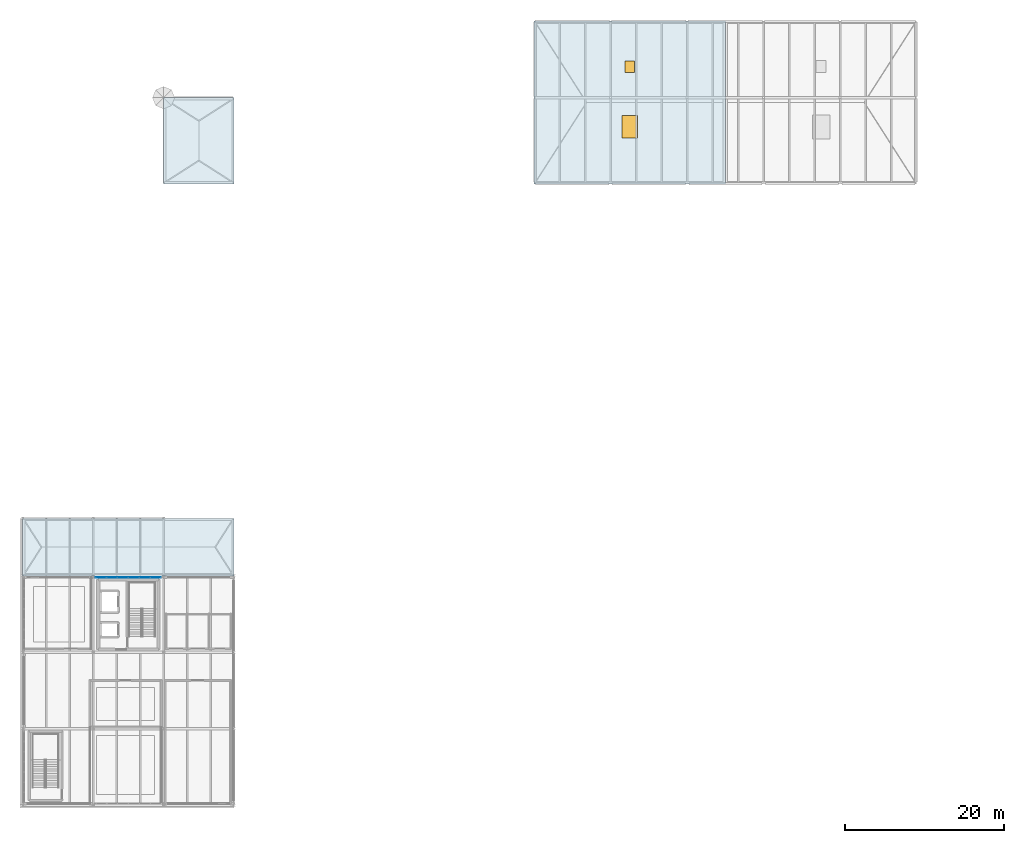
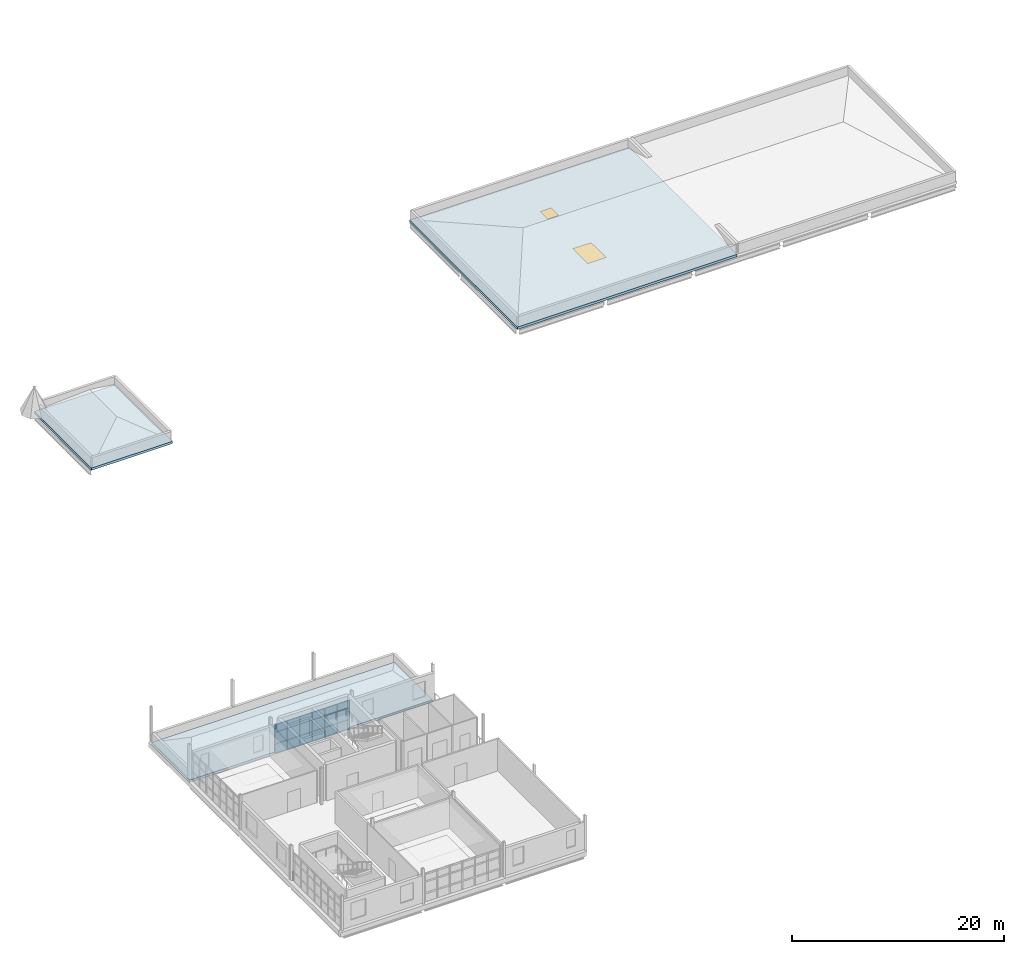
# One storey, part 17 of 28: 18 plates, 3 slabs, 1 door, 1 window, 2 openings, 1 element without a shape of its own.
"""IFC4 building model written with IfcOpenShell, lengths in metres."""

from ifc_helpers import new_model, si_unit, direction, frame, origin, origin_2d, place, context, subcontext, project, spatial, polyline, rectangle, outline, extrude, material, layer, layer_set, type_object, element, fill, aggregate, save


model = new_model("IFC4")

# Units and contexts
model_context = context("Model", 3, precision=1e-05, world=origin(), true_north=direction((0.0, 1.0)))
body_context = subcontext(model_context, "Body", "Model", "MODEL_VIEW")
ifc_project = project(units=[si_unit("LENGTHUNIT", "METRE"), si_unit("AREAUNIT", "SQUARE_METRE"), si_unit("VOLUMEUNIT", "CUBIC_METRE"), si_unit("PLANEANGLEUNIT", "RADIAN"), si_unit("MASSUNIT", "GRAM", prefix="KILO")], contexts=[model_context])

# Site, building, storey
site_placement = place(None, origin())
site = spatial("IfcSite", under=ifc_project, at=site_placement, CompositionType="ELEMENT")
building_placement = place(site_placement, origin())
building = spatial("IfcBuilding", under=site, at=building_placement, Name="Yeouljin Market Hall", CompositionType="ELEMENT")
storey_placement = place(building_placement, frame((0.0, 0.0, 15.0)))
storey = spatial("IfcBuildingStorey", under=building, at=storey_placement, Name="L03", CompositionType="ELEMENT", Elevation=15.0)

# Curtain wall, plates
ifc_material_1 = material(Name="Thermally Broken Aluminium", Category="aluminium")
ifc_layer_1 = layer(ifc_material_1, 0.14990234375)
ifc_layer_set_1 = layer_set([ifc_layer_1], Name="Thermally Broken Aluminium")
curtain_wall_type = type_object("IfcCurtainWallType", Name="CW_AcademyRibbon_System", PredefinedType="USERDEFINED", material=ifc_layer_set_1)
curtain_wall_placement = place(storey_placement, origin())
curtain_wall = element("IfcCurtainWall", 1, at=curtain_wall_placement, inside=storey, type_object=curtain_wall_type, Name="Curtain wall CW-L03-W08", ObjectType="CURTAIN WALL", PredefinedType="USERDEFINED")
ifc_material_2 = material(Name="Anodised Bronze Spandrel Panel")
ifc_layer_2 = layer(ifc_material_2, 0.0439453125)
ifc_layer_set_2 = layer_set([ifc_layer_2], Name="Anodised Bronze Spandrel Panel")
plate_type = type_object("IfcPlateType", Name="CWPanel_BronzeSpandrel_44", PredefinedType="CURTAIN_PANEL", material=ifc_layer_set_2)
plate_1_placement = place(storey_placement, frame((9.849609375, 28.60009765625, 0.0478515625), z_axis=(0.0, 0.0, 1.0), x_axis=(1.0, 0.0, 0.0)))
plate_1 = element("IfcPlate", 2, at=plate_1_placement, type_object=plate_type, Name="CW-05 panel 1.1", PredefinedType="CURTAIN_PANEL", context=body_context, shape_type="SweptSolid", body=[
    extrude(rectangle(XDim=1.302978515625, YDim=0.0439453125, at=origin_2d()), origin(), (0.0, 0.0, 1.0), 1.028076171875),
])
plate_2_placement = place(storey_placement, frame((9.849609375, 28.60009765625, 1.1240234375), z_axis=(0.0, 0.0, 1.0), x_axis=(1.0, 0.0, 0.0)))
plate_2 = element("IfcPlate", 3, at=plate_2_placement, type_object=plate_type, Name="CW-05 panel 1.2", PredefinedType="CURTAIN_PANEL", context=body_context, shape_type="SweptSolid", body=[
    extrude(rectangle(XDim=1.302978515625, YDim=0.0439453125, at=origin_2d()), origin(), (0.0, 0.0, 1.0), 1.302001953125),
])
plate_3_placement = place(storey_placement, frame((9.849609375, 28.60009765625, 2.47412109375), z_axis=(0.0, 0.0, 1.0), x_axis=(1.0, 0.0, 0.0)))
plate_3 = element("IfcPlate", 4, at=plate_3_placement, type_object=plate_type, Name="CW-05 panel 1.3", PredefinedType="CURTAIN_PANEL", context=body_context, shape_type="SweptSolid", body=[
    extrude(rectangle(XDim=1.302978515625, YDim=0.0439453125, at=origin_2d()), origin(), (0.0, 0.0, 1.0), 0.827880859375),
])
plate_4_placement = place(storey_placement, frame((11.21240234375, 28.60009765625, 0.0478515625), z_axis=(0.0, 0.0, 1.0), x_axis=(1.0, 0.0, 0.0)))
plate_4 = element("IfcPlate", 5, at=plate_4_placement, type_object=plate_type, Name="CW-05 panel 2.1", PredefinedType="CURTAIN_PANEL", context=body_context, shape_type="SweptSolid", body=[
    extrude(rectangle(XDim=1.326904296875, YDim=0.0439453125, at=origin_2d()), origin(), (0.0, 0.0, 1.0), 1.028076171875),
])
plate_5_placement = place(storey_placement, frame((11.21240234375, 28.60009765625, 1.1240234375), z_axis=(0.0, 0.0, 1.0), x_axis=(1.0, 0.0, 0.0)))
plate_5 = element("IfcPlate", 6, at=plate_5_placement, type_object=plate_type, Name="CW-05 panel 2.2", PredefinedType="CURTAIN_PANEL", context=body_context, shape_type="SweptSolid", body=[
    extrude(rectangle(XDim=1.326904296875, YDim=0.0439453125, at=origin_2d()), origin(), (0.0, 0.0, 1.0), 1.302001953125),
])
plate_6_placement = place(storey_placement, frame((11.21240234375, 28.60009765625, 2.47412109375), z_axis=(0.0, 0.0, 1.0), x_axis=(1.0, 0.0, 0.0)))
plate_6 = element("IfcPlate", 7, at=plate_6_placement, type_object=plate_type, Name="CW-05 panel 2.3", PredefinedType="CURTAIN_PANEL", context=body_context, shape_type="SweptSolid", body=[
    extrude(rectangle(XDim=1.326904296875, YDim=0.0439453125, at=origin_2d()), origin(), (0.0, 0.0, 1.0), 0.827880859375),
])
plate_7_placement = place(storey_placement, frame((12.58740234375, 28.60009765625, 0.0478515625), z_axis=(0.0, 0.0, 1.0), x_axis=(1.0, 0.0, 0.0)))
plate_7 = element("IfcPlate", 8, at=plate_7_placement, type_object=plate_type, Name="CW-05 panel 3.1", PredefinedType="CURTAIN_PANEL", context=body_context, shape_type="SweptSolid", body=[
    extrude(rectangle(XDim=1.326904296875, YDim=0.0439453125, at=origin_2d()), origin(), (0.0, 0.0, 1.0), 1.028076171875),
])
plate_8_placement = place(storey_placement, frame((12.58740234375, 28.60009765625, 1.1240234375), z_axis=(0.0, 0.0, 1.0), x_axis=(1.0, 0.0, 0.0)))
plate_8 = element("IfcPlate", 9, at=plate_8_placement, type_object=plate_type, Name="CW-05 panel 3.2", PredefinedType="CURTAIN_PANEL", context=body_context, shape_type="SweptSolid", body=[
    extrude(rectangle(XDim=1.326904296875, YDim=0.0439453125, at=origin_2d()), origin(), (0.0, 0.0, 1.0), 1.302001953125),
])
plate_9_placement = place(storey_placement, frame((12.58740234375, 28.60009765625, 2.47412109375), z_axis=(0.0, 0.0, 1.0), x_axis=(1.0, 0.0, 0.0)))
plate_9 = element("IfcPlate", 10, at=plate_9_placement, type_object=plate_type, Name="CW-05 panel 3.3", PredefinedType="CURTAIN_PANEL", context=body_context, shape_type="SweptSolid", body=[
    extrude(rectangle(XDim=1.326904296875, YDim=0.0439453125, at=origin_2d()), origin(), (0.0, 0.0, 1.0), 0.827880859375),
])
plate_10_placement = place(storey_placement, frame((13.96240234375, 28.60009765625, 0.0478515625), z_axis=(0.0, 0.0, 1.0), x_axis=(1.0, 0.0, 0.0)))
plate_10 = element("IfcPlate", 11, at=plate_10_placement, type_object=plate_type, Name="CW-05 panel 4.1", PredefinedType="CURTAIN_PANEL", context=body_context, shape_type="SweptSolid", body=[
    extrude(rectangle(XDim=1.326904296875, YDim=0.0439453125, at=origin_2d()), origin(), (0.0, 0.0, 1.0), 1.028076171875),
])
plate_11_placement = place(storey_placement, frame((13.96240234375, 28.60009765625, 1.1240234375), z_axis=(0.0, 0.0, 1.0), x_axis=(1.0, 0.0, 0.0)))
plate_11 = element("IfcPlate", 12, at=plate_11_placement, type_object=plate_type, Name="CW-05 panel 4.2", PredefinedType="CURTAIN_PANEL", context=body_context, shape_type="SweptSolid", body=[
    extrude(rectangle(XDim=1.326904296875, YDim=0.0439453125, at=origin_2d()), origin(), (0.0, 0.0, 1.0), 1.302001953125),
])
plate_12_placement = place(storey_placement, frame((13.96240234375, 28.60009765625, 2.47412109375), z_axis=(0.0, 0.0, 1.0), x_axis=(1.0, 0.0, 0.0)))
plate_12 = element("IfcPlate", 13, at=plate_12_placement, type_object=plate_type, Name="CW-05 panel 4.3", PredefinedType="CURTAIN_PANEL", context=body_context, shape_type="SweptSolid", body=[
    extrude(rectangle(XDim=1.326904296875, YDim=0.0439453125, at=origin_2d()), origin(), (0.0, 0.0, 1.0), 0.827880859375),
])
plate_13_placement = place(storey_placement, frame((15.33740234375, 28.60009765625, 0.0478515625), z_axis=(0.0, 0.0, 1.0), x_axis=(1.0, 0.0, 0.0)))
plate_13 = element("IfcPlate", 14, at=plate_13_placement, type_object=plate_type, Name="CW-05 panel 5.1", PredefinedType="CURTAIN_PANEL", context=body_context, shape_type="SweptSolid", body=[
    extrude(rectangle(XDim=1.326904296875, YDim=0.0439453125, at=origin_2d()), origin(), (0.0, 0.0, 1.0), 1.028076171875),
])
plate_14_placement = place(storey_placement, frame((15.33740234375, 28.60009765625, 1.1240234375), z_axis=(0.0, 0.0, 1.0), x_axis=(1.0, 0.0, 0.0)))
plate_14 = element("IfcPlate", 15, at=plate_14_placement, type_object=plate_type, Name="CW-05 panel 5.2", PredefinedType="CURTAIN_PANEL", context=body_context, shape_type="SweptSolid", body=[
    extrude(rectangle(XDim=1.326904296875, YDim=0.0439453125, at=origin_2d()), origin(), (0.0, 0.0, 1.0), 1.302001953125),
])
plate_15_placement = place(storey_placement, frame((15.33740234375, 28.60009765625, 2.47412109375), z_axis=(0.0, 0.0, 1.0), x_axis=(1.0, 0.0, 0.0)))
plate_15 = element("IfcPlate", 16, at=plate_15_placement, type_object=plate_type, Name="CW-05 panel 5.3", PredefinedType="CURTAIN_PANEL", context=body_context, shape_type="SweptSolid", body=[
    extrude(rectangle(XDim=1.326904296875, YDim=0.0439453125, at=origin_2d()), origin(), (0.0, 0.0, 1.0), 0.827880859375),
])
plate_16_placement = place(storey_placement, frame((16.700439453125, 28.60009765625, 0.0478515625), z_axis=(0.0, 0.0, 1.0), x_axis=(1.0, 0.0, 0.0)))
plate_16 = element("IfcPlate", 17, at=plate_16_placement, type_object=plate_type, Name="CW-05 panel 6.1", PredefinedType="CURTAIN_PANEL", context=body_context, shape_type="SweptSolid", body=[
    extrude(rectangle(XDim=1.302978515625, YDim=0.0439453125, at=origin_2d()), origin(), (0.0, 0.0, 1.0), 1.028076171875),
])
plate_17_placement = place(storey_placement, frame((16.700439453125, 28.60009765625, 1.1240234375), z_axis=(0.0, 0.0, 1.0), x_axis=(1.0, 0.0, 0.0)))
plate_17 = element("IfcPlate", 18, at=plate_17_placement, type_object=plate_type, Name="CW-05 panel 6.2", PredefinedType="CURTAIN_PANEL", context=body_context, shape_type="SweptSolid", body=[
    extrude(rectangle(XDim=1.302978515625, YDim=0.0439453125, at=origin_2d()), origin(), (0.0, 0.0, 1.0), 1.302001953125),
])
plate_18_placement = place(storey_placement, frame((16.700439453125, 28.60009765625, 2.47412109375), z_axis=(0.0, 0.0, 1.0), x_axis=(1.0, 0.0, 0.0)))
plate_18 = element("IfcPlate", 19, at=plate_18_placement, type_object=plate_type, Name="CW-05 panel 6.3", PredefinedType="CURTAIN_PANEL", context=body_context, shape_type="SweptSolid", body=[
    extrude(rectangle(XDim=1.302978515625, YDim=0.0439453125, at=origin_2d()), origin(), (0.0, 0.0, 1.0), 0.827880859375),
])
aggregate(curtain_wall, [plate_1, plate_2, plate_3, plate_4, plate_5, plate_6, plate_7, plate_8, plate_9, plate_10, plate_11, plate_12, plate_13, plate_14, plate_15, plate_16, plate_17, plate_18])

# Slabs
ifc_material_3 = material(Name="Concrete C30/37", Category="concrete")
ifc_layer_3 = layer(ifc_material_3, 0.260009765625)
ifc_layer_set_3 = layer_set([ifc_layer_3], Name="Concrete C30/37")
slab_type_1 = type_object("IfcSlabType", Name="SLB_ROOF_195", PredefinedType="ROOF", material=ifc_layer_set_3)
slab_1_placement = place(storey_placement, frame((0.0, 0.0, -0.25)))
element("IfcSlab", 20, at=slab_1_placement, inside=storey, type_object=slab_type_1, Name="Wing structural roof slab RSLB-V2-L03N", PredefinedType="ROOF", context=body_context, shape_type="SweptSolid", body=[
    extrude(outline(polyline([(0.0, 28.800048828125), (26.550048828125, 28.800048828125), (26.550048828125, 36.0), (0.0, 36.0), (0.0, 28.800048828125)])), origin(), (0.0, 0.0, 1.0), 0.260009765625),
])
ifc_material_4 = material(Name="Concrete C30/37", Category="concrete")
ifc_layer_4 = layer(ifc_material_4, 0.27490234375)
ifc_layer_set_4 = layer_set([ifc_layer_4], Name="Concrete C30/37")
slab_type_2 = type_object("IfcSlabType", Name="SLB_ROOF_210", PredefinedType="ROOF", material=ifc_layer_set_4)
slab_2_placement = place(storey_placement, frame((0.0, 0.0, -0.264892578125)))
element("IfcSlab", 21, at=slab_2_placement, inside=storey, type_object=slab_type_2, Name="Wing structural roof slab RSLB-V2-L02N", PredefinedType="ROOF", context=body_context, shape_type="SweptSolid", body=[
    extrude(outline(polyline([(17.699951171875, 78.0), (26.550048828125, 78.0), (26.550048828125, 88.800048828125), (17.699951171875, 88.800048828125), (17.699951171875, 78.0)])), origin(), (0.0, 0.0, 1.0), 0.27490234375),
])

# Slab, openings, door, window
ifc_material_5 = material(Name="Concrete C30/37", Category="concrete")
ifc_layer_5 = layer(ifc_material_5, 0.2900390625)
ifc_layer_set_5 = layer_set([ifc_layer_5], Name="Concrete C30/37")
slab_type_3 = type_object("IfcSlabType", Name="SLB_ROOF_225", PredefinedType="ROOF", material=ifc_layer_set_5)
slab_3_placement = place(storey_placement, frame((0.0, 0.0, -0.280029296875)))
slab_3 = element("IfcSlab", 22, at=slab_3_placement, inside=storey, type_object=slab_type_3, Name="Wing structural roof slab RSLB-V4-MAIN1", PredefinedType="ROOF", context=body_context, shape_type="SweptSolid", body=[
    extrude(outline(polyline([(64.199951171875, 78.0), (88.199951171875, 78.0), (88.199951171875, 98.39990234375), (64.199951171875, 98.39990234375), (64.199951171875, 78.0)])), origin(), (0.0, 0.0, 1.0), 0.2900390625),
])
opening_1_placement = place(slab_3_placement, frame((76.199951171875, 85.139892578125, 0.0)))
opening_1 = element("IfcOpeningElement", 23, at=opening_1_placement, cuts=slab_3, Name="Opening SK-03", PredefinedType="OPENING", context=body_context, shape_type="SweptSolid", body=[
    extrude(rectangle(XDim=2.0, YDim=2.800048828125, at=origin_2d()), origin(), (0.0, 0.0, 1.0), 0.2900390625),
])
opening_2_placement = place(slab_3_placement, frame((76.199951171875, 92.68798828125, 0.0)))
opening_2 = element("IfcOpeningElement", 24, at=opening_2_placement, cuts=slab_3, Name="Opening HT-05", PredefinedType="OPENING", context=body_context, shape_type="SweptSolid", body=[
    extrude(rectangle(XDim=1.199951171875, YDim=1.39990234375, at=origin_2d()), origin(), (0.0, 0.0, 1.0), 0.2900390625),
])
ifc_material_6 = material(Name="Galvanised Painted Steel", Category="steel")
door_type = type_object("IfcDoorType", Name="DT-HT120", OperationType="SINGLE_SWING_LEFT", PredefinedType="TRAPDOOR", material=ifc_material_6)
door_placement = place(opening_2_placement, frame((0.0, 0.0, 0.239990234375)))
door = element("IfcDoor", 25, at=door_placement, inside=storey, type_object=door_type, Name="Roof maintenance access hatch HT-05", OperationType="SINGLE_SWING_LEFT", OverallHeight=1.39990234375, OverallWidth=1.199951171875, PredefinedType="TRAPDOOR", context=body_context, shape_type="SweptSolid", body=[
    extrude(rectangle(XDim=1.199951171875, YDim=1.39990234375, at=origin_2d()), origin(), (0.0, 0.0, 1.0), 0.050048828125),
])
fill(opening_2, door)
ifc_material_7 = material(Name="Low-E Insulated Glass", Category="glass")
window_type = type_object("IfcWindowType", Name="Skylight_2000x2800", PartitioningType="SINGLE_PANEL", PredefinedType="SKYLIGHT", material=ifc_material_7)
window_placement = place(opening_1_placement, frame((0.0, 0.0, 0.239990234375)))
window = element("IfcWindow", 26, at=window_placement, inside=storey, type_object=window_type, Name="Roof skylight 09", OverallHeight=2.800048828125, OverallWidth=2.0, PartitioningType="SINGLE_PANEL", PredefinedType="SKYLIGHT", context=body_context, shape_type="SweptSolid", body=[
    extrude(rectangle(XDim=2.0, YDim=2.800048828125, at=origin_2d()), origin(), (0.0, 0.0, 1.0), 0.050048828125),
])
fill(opening_1, window)

save(model, "model.ifc")
